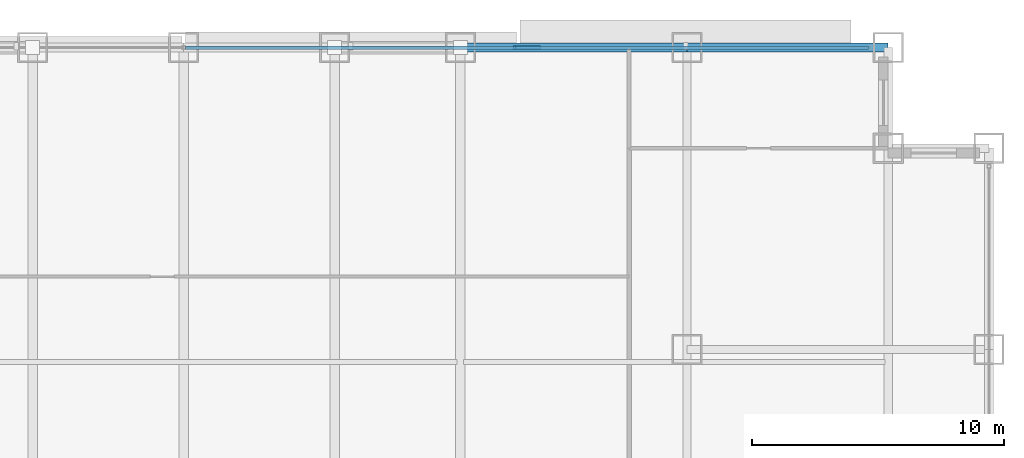
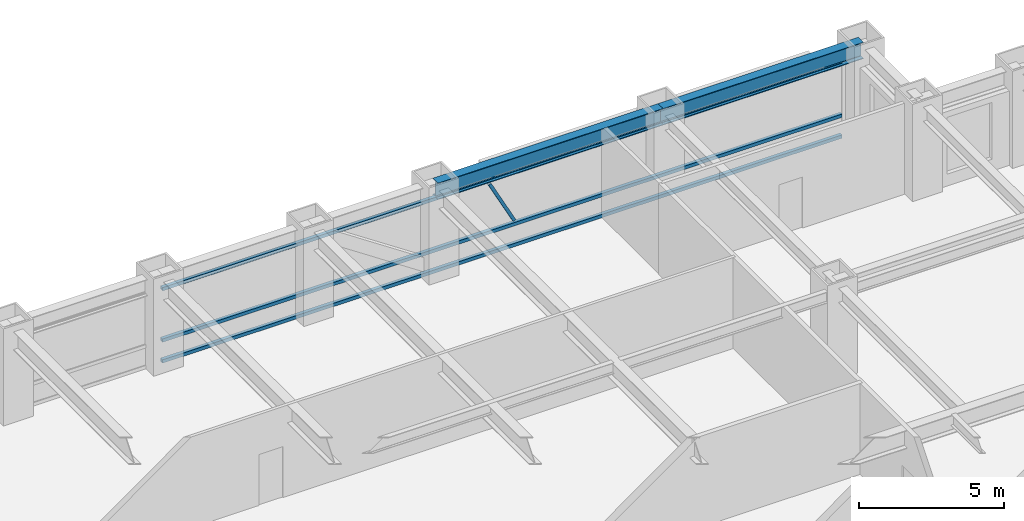
# One storey, part 20 of 32: 4 members, 2 beams, 1 element without a shape of its own.
"""IFC4 building model written with IfcOpenShell, lengths in metres."""

from ifc_helpers import new_model, si_unit, direction, frame, origin, origin_2d, place, context, subcontext, project, spatial, hollow_rectangle, i_section, extrude, source, transform, mapped, material, material_profile, profile_set, type_object, element, aggregate, save


model = new_model("IFC4")

# Units and contexts
model_context = context("Model", 3, precision=1e-05, world=origin(), true_north=direction((0.0, 1.0)))
body_context = subcontext(model_context, "Body", "Model", "MODEL_VIEW")
ifc_project = project(units=[si_unit("LENGTHUNIT", "METRE"), si_unit("AREAUNIT", "SQUARE_METRE"), si_unit("VOLUMEUNIT", "CUBIC_METRE"), si_unit("PLANEANGLEUNIT", "RADIAN"), si_unit("MASSUNIT", "GRAM", prefix="KILO")], contexts=[model_context])

# Site, building, storey
site_placement = place(None, origin())
site = spatial("IfcSite", under=ifc_project, at=site_placement, CompositionType="ELEMENT")
building_placement = place(site_placement, origin())
building = spatial("IfcBuilding", under=site, at=building_placement, Name="Khorayat Bourse Tower", CompositionType="ELEMENT")
storey_placement = place(building_placement, frame((0.0, 0.0, 91.39990234375)))
storey = spatial("IfcBuildingStorey", under=building, at=storey_placement, Name="L20", CompositionType="ELEMENT", Elevation=91.39990234375)

# Beams
ifc_material_1 = material(Name="Steel ASTM A992 Grade 50", Category="steel")
ifc_material_profile_1 = material_profile(ifc_material_1, i_section(OverallWidth=0.35498046875, OverallDepth=0.695068359375, WebThickness=0.015380859375, FlangeThickness=0.02490234375, FilletRadius=0.01806640625, at=origin_2d()), Name="W690X217")
ifc_profile_set_1 = profile_set([ifc_material_profile_1], Name="Steel ASTM A992 Grade 50")
beam_type = type_object("IfcBeamType", Name="BM-SPAN-690", PredefinedType="SPANDREL", material=ifc_profile_set_1)
shared_shape_1 = source(origin(), body_context, "Body", "SweptSolid", [
    extrude(i_section(OverallWidth=0.35498046875, OverallDepth=0.695068359375, WebThickness=0.015380859375, FlangeThickness=0.02490234375, FilletRadius=0.01806640625, at=origin_2d()), origin(), (0.0, 0.0, 1.0), 9.0),
])
beam_1_placement = place(storey_placement, frame((11.0, 32.0, 3.49267578125), z_axis=(1.0, 0.0, 0.0), x_axis=(0.0, 1.0, 0.0)))
element("IfcBeam", 1, at=beam_1_placement, inside=storey, type_object=beam_type, Name="L20 BM-SPAN-690 BM-L20-SPN-045", PredefinedType="SPANDREL", context=body_context, shape_type="MappedRepresentation", body=[
    mapped(shared_shape_1, transform((0.0, 0.0, 0.0), scale=1.0)),
])
shared_shape_2 = source(origin(), body_context, "Body", "SweptSolid", [
    extrude(i_section(OverallWidth=0.35498046875, OverallDepth=0.695068359375, WebThickness=0.015380859375, FlangeThickness=0.02490234375, FilletRadius=0.01806640625, at=origin_2d()), origin(), (0.0, 0.0, 1.0), 8.0),
])
beam_2_placement = place(storey_placement, frame((20.0, 32.0, 3.49267578125), z_axis=(1.0, 0.0, 0.0), x_axis=(0.0, 1.0, 0.0)))
element("IfcBeam", 2, at=beam_2_placement, inside=storey, type_object=beam_type, Name="L20 BM-SPAN-690 BM-L20-SPN-044", PredefinedType="SPANDREL", context=body_context, shape_type="MappedRepresentation", body=[
    mapped(shared_shape_2, transform((0.0, 0.0, 0.0), scale=1.0)),
])

# Curtain wall, members
ifc_material_2 = material(Name="Aluminium EN AW-6063 T6", Category="aluminium")
curtain_wall_type = type_object("IfcCurtainWallType", Name="CW-SYS-02", PredefinedType="NOTDEFINED", material=ifc_material_2)
curtain_wall_placement = place(storey_placement, origin())
curtain_wall = element("IfcCurtainWall", 3, at=curtain_wall_placement, inside=storey, type_object=curtain_wall_type, Name="L20 Curtain Wall CW-L20-N1", PredefinedType="NOTDEFINED")
ifc_material_profile_2 = material_profile(ifc_material_2, hollow_rectangle(XDim=0.139892578125, YDim=0.139892578125, WallThickness=0.006103515625, at=origin_2d()), Name="ALU 140x140x6")
ifc_profile_set_2 = profile_set([ifc_material_profile_2], Name="Aluminium EN AW-6063 T6")
member_type_1 = type_object("IfcMemberType", Name="CWT-HORZ-140", PredefinedType="USERDEFINED", material=ifc_profile_set_2)
shared_shape_3 = source(origin(), body_context, "Body", "SweptSolid", [
    extrude(hollow_rectangle(XDim=0.139892578125, YDim=0.139892578125, WallThickness=0.006103515625, at=origin_2d()), origin(), (0.0, 0.0, 1.0), 27.139892578125),
])
member_1_placement = place(storey_placement, frame((0.070068359375, 32.0, 0.070068359375), z_axis=(1.0, 0.0, 0.0), x_axis=(0.0, 1.0, 0.0)))
member_1 = element("IfcMember", 4, at=member_1_placement, type_object=member_type_1, Name="CW-L20-N1 Horizontal Transom 2-1", ObjectType="TRANSOM", PredefinedType="USERDEFINED", context=body_context, shape_type="MappedRepresentation", body=[
    mapped(shared_shape_3, transform((0.0, 0.0, 0.0), scale=1.0)),
])
member_2_placement = place(storey_placement, frame((0.070068359375, 32.0, 0.9501953125), z_axis=(1.0, 0.0, 0.0), x_axis=(0.0, 1.0, 0.0)))
member_2 = element("IfcMember", 5, at=member_2_placement, type_object=member_type_1, Name="CW-L20-N1 Horizontal Transom 2-2", ObjectType="TRANSOM", PredefinedType="USERDEFINED", context=body_context, shape_type="MappedRepresentation", body=[
    mapped(shared_shape_3, transform((0.0, 0.0, 0.0), scale=1.0)),
])
member_3_placement = place(storey_placement, frame((0.070068359375, 32.0, 3.1201171875), z_axis=(1.0, 0.0, 0.0), x_axis=(0.0, 1.0, 0.0)))
member_3 = element("IfcMember", 6, at=member_3_placement, type_object=member_type_1, Name="CW-L20-N1 Horizontal Transom 2-3", ObjectType="TRANSOM", PredefinedType="USERDEFINED", context=body_context, shape_type="MappedRepresentation", body=[
    mapped(shared_shape_3, transform((0.0, 0.0, 0.0), scale=1.0)),
])
ifc_material_profile_3 = material_profile(ifc_material_2, hollow_rectangle(XDim=0.1201171875, YDim=0.1201171875, WallThickness=0.0048828125, at=origin_2d()), Name="ALU 120x120x5")
ifc_profile_set_3 = profile_set([ifc_material_profile_3], Name="Aluminium EN AW-6063 T6")
member_type_2 = type_object("IfcMemberType", Name="CWM-DIAG-120", PredefinedType="MULLION", material=ifc_profile_set_3)
shared_shape_4 = source(origin(), body_context, "Body", "SweptSolid", [
    extrude(hollow_rectangle(XDim=0.1201171875, YDim=0.1201171875, WallThickness=0.0048828125, at=origin_2d()), origin(), (0.0, 0.0, 1.0), 2.11328125),
])
member_4_placement = place(storey_placement, frame((14.132080078125, 32.0, 1.10009765625), z_axis=(-0.465694055905, 0.0, 0.884945787207), x_axis=(0.0, -1.0, 0.0)))
member_4 = element("IfcMember", 7, at=member_4_placement, type_object=member_type_2, Name="CW-L20-N1 Faceted Diagonal Mullion 2", PredefinedType="MULLION", context=body_context, shape_type="MappedRepresentation", body=[
    mapped(shared_shape_4, transform((0.0, 0.0, 0.0), scale=1.0)),
])
aggregate(curtain_wall, [member_1, member_2, member_3, member_4])

save(model, "model.ifc")
